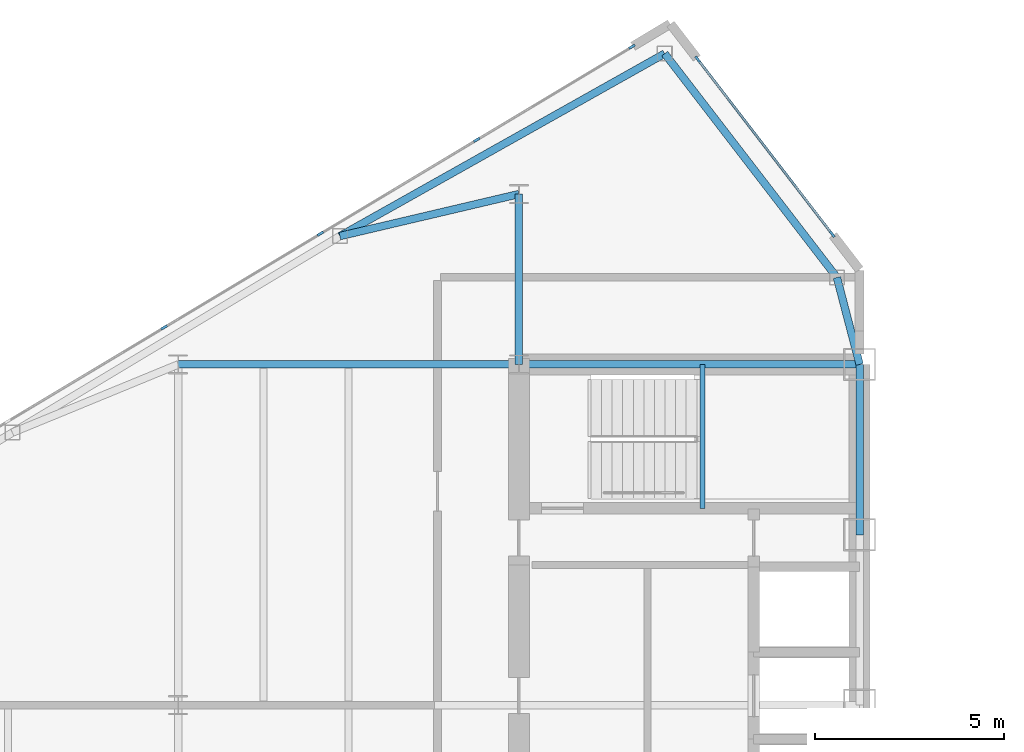
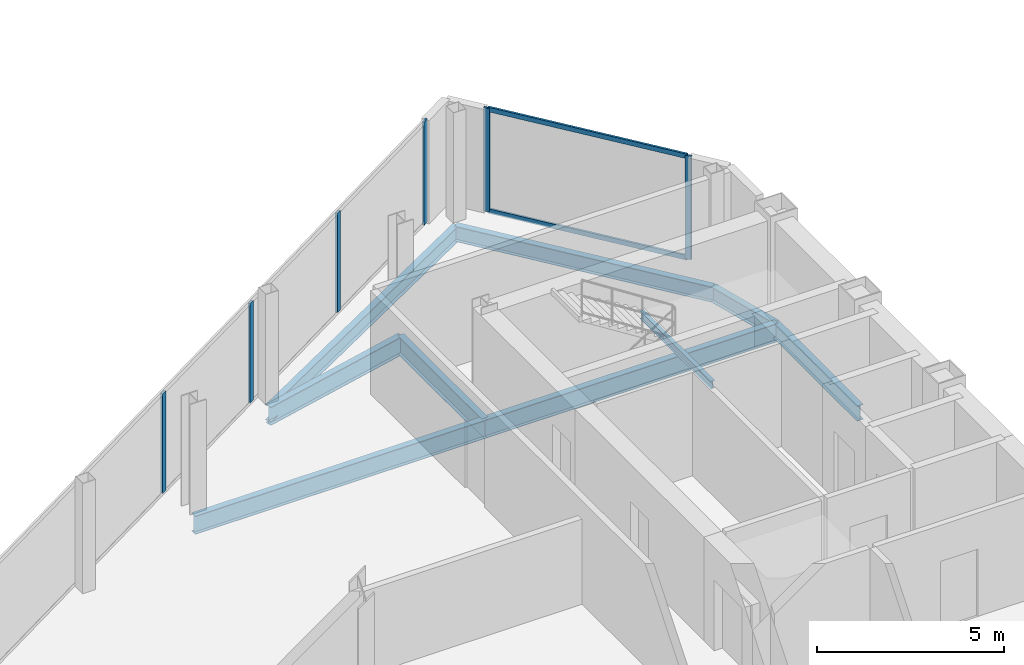
# One storey, part 10 of 25: 9 beams, 8 members, 2 elements without a shape of their own.
"""IFC4 building model written with IfcOpenShell, lengths in metres."""

import ifcopenshell
import ifcopenshell.guid

model = None  # the IFC model being written
_history = None  # IfcOwnerHistory: only IFC2X3 demands one
_inside = {}  # id of a spatial element -> (the spatial element, [elements in it])
_under = {}  # id of a project, library or spatial element -> (it, [spatial elements below it])
_declared = {}  # id of a project -> (the project, [libraries it declares])
_typed = {}  # id of a type object -> (the type object, [elements of that type])
_made_of = {}  # id of a material, layer set ... -> (it, [elements and type objects made of it])


def new_model(schema):
    """Start an empty IFC model of exactly this schema.

    Asked for "IFC4X3", IfcOpenShell would pick the latest addendum, in which some entities
    have other attributes; the version numbers below select the first issue.
    IFC2X3 requires an IfcOwnerHistory on every rooted entity: one is made here for all.
    """
    global model, _history
    if schema == "IFC4X3":
        model = ifcopenshell.file(schema_version=(4, 3, 0, 0))
    else:
        model = ifcopenshell.file(schema=schema)
    _inside.clear()
    _under.clear()
    _declared.clear()
    _typed.clear()
    _made_of.clear()
    _history = None
    if model.schema == "IFC2X3":
        org = make("IfcOrganization", Name="unknown")
        user = make(
            "IfcPersonAndOrganization",
            ThePerson=make("IfcPerson", FamilyName="unknown"),
            TheOrganization=org,
        )
        app = make(
            "IfcApplication",
            ApplicationDeveloper=org,
            Version="unknown",
            ApplicationFullName="unknown",
            ApplicationIdentifier="unknown",
        )
        _history = make(
            "IfcOwnerHistory",
            OwningUser=user,
            OwningApplication=app,
            ChangeAction="ADDED",
            CreationDate=0,
        )
    return model


def make(cls, **values):
    """One entity of the class cls with the attributes given. An attribute that is None is left unset."""
    return model.create_entity(
        cls, **{name: value for name, value in values.items() if value is not None}
    )


def rooted(cls, **values):
    """An entity with a GlobalId (a new one), such as an element, a storey or a relation."""
    return make(cls, GlobalId=ifcopenshell.guid.new(), OwnerHistory=_history, **values)


def si_unit(unit_type, name, prefix=None):
    """IfcSIUnit, for example si_unit("LENGTHUNIT", "METRE", prefix="MILLI")."""
    return make("IfcSIUnit", UnitType=unit_type, Prefix=prefix, Name=name)


def assignment(units):
    """IfcUnitAssignment: the units of a project."""
    return None if units is None else make("IfcUnitAssignment", Units=units)


def point(xyz):
    """IfcCartesianPoint."""
    return None if xyz is None else make("IfcCartesianPoint", Coordinates=xyz)


def direction(xyz):
    """IfcDirection."""
    return None if xyz is None else make("IfcDirection", DirectionRatios=xyz)


def frame(location, z_axis=None, x_axis=None):
    """IfcAxis2Placement3D, a coordinate frame: its origin and axes. An axis left out is left unset."""
    return make(
        "IfcAxis2Placement3D",
        Location=point(location),
        Axis=direction(z_axis),
        RefDirection=direction(x_axis),
    )


def frame_2d(location, x_axis=None):
    """IfcAxis2Placement2D, a coordinate frame in the plane: its origin and x axis."""
    return make(
        "IfcAxis2Placement2D", Location=point(location), RefDirection=direction(x_axis)
    )


def origin():
    """The frame at (0, 0, 0) with its axes left unset."""
    return frame((0.0, 0.0, 0.0))


def origin_2d():
    """The frame at (0, 0) in the plane with its x axis left unset."""
    return frame_2d((0.0, 0.0))


def place(relative_to, where):
    """IfcLocalPlacement: puts the frame where relative to a parent placement (None: the world)."""
    return make(
        "IfcLocalPlacement", PlacementRelTo=relative_to, RelativePlacement=where
    )


def context(
    kind, dimensions, precision=None, world=None, true_north=None, identifier=None
):
    """IfcGeometricRepresentationContext, for example the 3D "Model" context."""
    return make(
        "IfcGeometricRepresentationContext",
        ContextIdentifier=identifier,
        ContextType=kind,
        CoordinateSpaceDimension=dimensions,
        Precision=precision,
        WorldCoordinateSystem=world,
        TrueNorth=true_north,
    )


def subcontext(parent, identifier, kind, view, scale=None):
    """IfcGeometricRepresentationSubContext, for example "Body" below "Model"."""
    return make(
        "IfcGeometricRepresentationSubContext",
        ContextIdentifier=identifier,
        ContextType=kind,
        ParentContext=parent,
        TargetScale=scale,
        TargetView=view,
    )


def project(units=None, contexts=None):
    """IfcProject with its units and contexts."""
    return rooted(
        "IfcProject",
        Name="project",
        RepresentationContexts=contexts,
        UnitsInContext=assignment(units),
    )


def spatial(cls, under=None, at=None, **own):
    """A site, building, storey or space (cls), placed at a placement, below another one or the project."""
    s = rooted(cls, ObjectPlacement=at, **own)
    if under is not None:
        _under.setdefault(under.id(), (under, []))[1].append(s)
    return s


def profile(cls, at=None, kind="AREA", **sizes):
    """A parametric profile (cls). Its sizes go by their IFC names, for example OverallWidth=200.0."""
    return make(cls, ProfileType=kind, Position=at, **sizes)


def rectangle(**sizes):
    """IfcRectangleProfileDef."""
    return profile("IfcRectangleProfileDef", **sizes)


def i_section(**sizes):
    """IfcIShapeProfileDef."""
    return profile("IfcIShapeProfileDef", **sizes)


def extrude(swept, where, along, depth):
    """IfcExtrudedAreaSolid: the profile swept, set in the frame where, extruded along a direction by depth."""
    return make(
        "IfcExtrudedAreaSolid",
        SweptArea=swept,
        Position=where,
        ExtrudedDirection=direction(along),
        Depth=depth,
    )


def shape(context_of_items, identifier, shape_type, items):
    """IfcShapeRepresentation: the items that make up one representation, for example the "Body"."""
    return make(
        "IfcShapeRepresentation",
        ContextOfItems=context_of_items,
        RepresentationIdentifier=identifier,
        RepresentationType=shape_type,
        Items=items,
    )


def source(mapping_origin, context_of_items, identifier, shape_type, items):
    """IfcRepresentationMap: a shape defined once, which mapped items show again and again."""
    return make(
        "IfcRepresentationMap",
        MappingOrigin=mapping_origin,
        MappedRepresentation=shape(context_of_items, identifier, shape_type, items),
    )


def transform(
    local_origin,
    x_axis=None,
    y_axis=None,
    z_axis=None,
    scale=None,
    scale2=None,
    scale3=None,
    uniform=True,
):
    """IfcCartesianTransformationOperator3D, or its non-uniform kind. x_axis, y_axis, z_axis: its Axis1, 2, 3."""
    if uniform:
        return make(
            "IfcCartesianTransformationOperator3D",
            Axis1=direction(x_axis),
            Axis2=direction(y_axis),
            LocalOrigin=point(local_origin),
            Scale=scale,
            Axis3=direction(z_axis),
        )
    return make(
        "IfcCartesianTransformationOperator3DnonUniform",
        Axis1=direction(x_axis),
        Axis2=direction(y_axis),
        LocalOrigin=point(local_origin),
        Scale=scale,
        Axis3=direction(z_axis),
        Scale2=scale2,
        Scale3=scale3,
    )


def mapped(mapping_source, mapping_target):
    """IfcMappedItem: shows the shape of a source again, moved by a transform."""
    return make(
        "IfcMappedItem", MappingSource=mapping_source, MappingTarget=mapping_target
    )


def material(Name=None, Category=None):
    """IfcMaterial."""
    return make("IfcMaterial", Name=Name, Category=Category)


def layer(
    of_material, thickness, ventilated=None, Name=None, Category=None, Priority=None
):
    """IfcMaterialLayer: one layer of a wall or slab, of a material (None: an air gap)."""
    return make(
        "IfcMaterialLayer",
        Material=of_material,
        LayerThickness=thickness,
        IsVentilated=ventilated,
        Name=Name,
        Category=Category,
        Priority=Priority,
    )


def layer_set(layers, Name=None):
    """IfcMaterialLayerSet."""
    return make("IfcMaterialLayerSet", MaterialLayers=layers, LayerSetName=Name)


def material_profile(
    of_material, cross_section, Name=None, Category=None, Priority=None
):
    """IfcMaterialProfile: a cross section and its material."""
    return make(
        "IfcMaterialProfile",
        Name=Name,
        Material=of_material,
        Profile=cross_section,
        Priority=Priority,
        Category=Category,
    )


def profile_set(profiles, Name=None, composite=None):
    """IfcMaterialProfileSet."""
    return make(
        "IfcMaterialProfileSet",
        Name=Name,
        MaterialProfiles=profiles,
        CompositeProfile=composite,
    )


def made_of(thing, what):
    """Note that an element or type object is made of a material, layer set ...; save() writes the relation."""
    if what is not None:
        _made_of.setdefault(what.id(), (what, []))[1].append(thing)
    return thing


def type_object(cls, material=None, **own):
    """A type object (cls), such as IfcWallType, which elements share."""
    return made_of(rooted(cls, **own), material)


def type_shapes(of_type, sources):
    """Give a type object the sources (RepresentationMaps) that its elements show as mapped items."""
    of_type.RepresentationMaps = sources


def element(
    cls,
    number,
    at=None,
    inside=None,
    cuts=None,
    type_object=None,
    material=None,
    context=None,
    identifier="Body",
    shape_type=None,
    held_by="IfcProductDefinitionShape",
    body=None,
    shapes=None,
    **own,
):
    """One element of the class cls, such as IfcWall. Its Tag is "e" and its number.

    at: its placement. inside: the storey or other place that contains it. cuts: it is an
    opening in that element (IfcRelVoidsElement). A single representation is given by context,
    identifier, shape_type and body (its items); several are given by shapes. held_by: the class
    of the entity that holds the representations. save() writes the other relations.
    """
    e = rooted(cls, Tag="e%d" % number, ObjectPlacement=at, **own)
    if body is not None:
        shapes = [shape(context, identifier, shape_type, body)]
    if shapes is not None:
        e.Representation = make(held_by, Representations=shapes)
    if inside is not None:
        _inside.setdefault(inside.id(), (inside, []))[1].append(e)
    if cuts is not None:
        rooted(
            "IfcRelVoidsElement", RelatingBuildingElement=cuts, RelatedOpeningElement=e
        )
    if type_object is not None:
        _typed.setdefault(type_object.id(), (type_object, []))[1].append(e)
    return made_of(e, material)


def aggregate(whole, parts):
    """IfcRelAggregates: a whole, such as a stair, and the parts it consists of."""
    return rooted("IfcRelAggregates", RelatingObject=whole, RelatedObjects=parts)


def save(model, path):
    """Write the relations noted so far, then the file.

    IfcRelAggregates (storeys below a building ...), IfcRelContainedInSpatialStructure (elements
    in a storey), IfcRelDefinesByType, IfcRelAssociatesMaterial and IfcRelDeclares: one each for
    every whole, place, type object, material and project.
    """
    for whole, parts in _under.values():
        aggregate(whole, parts)
    for where, things in _inside.values():
        rooted(
            "IfcRelContainedInSpatialStructure",
            RelatedElements=things,
            RelatingStructure=where,
        )
    for kind, things in _typed.values():
        rooted("IfcRelDefinesByType", RelatedObjects=things, RelatingType=kind)
    for what, things in _made_of.values():
        rooted("IfcRelAssociatesMaterial", RelatedObjects=things, RelatingMaterial=what)
    for by, libraries in _declared.values():
        rooted("IfcRelDeclares", RelatingContext=by, RelatedDefinitions=libraries)
    model.write(path)


model = new_model("IFC4")

# Units and contexts
model_context = context("Model", 3, precision=1e-05, world=origin(), true_north=direction((0.0, 1.0)))
body_context = subcontext(model_context, "Body", "Model", "MODEL_VIEW")
ifc_project = project(units=[si_unit("LENGTHUNIT", "METRE"), si_unit("AREAUNIT", "SQUARE_METRE"), si_unit("VOLUMEUNIT", "CUBIC_METRE"), si_unit("PLANEANGLEUNIT", "RADIAN"), si_unit("MASSUNIT", "GRAM", prefix="KILO")], contexts=[model_context])

# Site, building, storey
site_placement = place(None, origin())
site = spatial("IfcSite", under=ifc_project, at=site_placement, CompositionType="ELEMENT")
building_placement = place(site_placement, origin())
building = spatial("IfcBuilding", under=site, at=building_placement, Name="Seokmaru Belvedere", CompositionType="ELEMENT")
storey_placement = place(building_placement, frame((0.0, 0.0, 203.10009765625)))
storey = spatial("IfcBuildingStorey", under=building, at=storey_placement, Name="L54", CompositionType="ELEMENT", Elevation=203.10009765625)

# Beams
ifc_material_1 = material(Name="Steel SM355 (355 MPa)", Category="steel")
ifc_material_profile_1 = material_profile(ifc_material_1, i_section(OverallWidth=0.199951171875, OverallDepth=0.5, WebThickness=0.010009765625, FlangeThickness=0.01611328125, at=origin_2d()), Name="H-500x200x10x16")
ifc_profile_set_1 = profile_set([ifc_material_profile_1], Name="Steel SM355 (355 MPa)")
beam_type_1 = type_object("IfcBeamType", Name="Perimeter Spandrel Beam H-500", PredefinedType="SPANDREL", material=ifc_profile_set_1)
shared_shape_1 = source(origin(), body_context, "Body", "SweptSolid", [
    extrude(i_section(OverallWidth=0.199951171875, OverallDepth=0.5, WebThickness=0.010009765625, FlangeThickness=0.01611328125, at=origin_2d()), origin(), (0.0, 0.0, 1.0), 4.5),
])
beam_1_placement = place(storey_placement, frame((-27.5, 9.0, -0.47021484375), z_axis=(0.0, 1.0, 0.0), x_axis=(-1.0, 0.0, 0.0)))
element("IfcBeam", 1, at=beam_1_placement, inside=storey, type_object=beam_type_1, Name="L54 W Portal Spine Spandrel 5", PredefinedType="SPANDREL", context=body_context, shape_type="MappedRepresentation", body=[
    mapped(shared_shape_1, transform((0.0, 0.0, 0.0), scale=1.0)),
])
ifc_material_profile_2 = material_profile(ifc_material_1, i_section(OverallWidth=0.199951171875, OverallDepth=0.60009765625, WebThickness=0.010986328125, FlangeThickness=0.01708984375, at=origin_2d()), Name="H-600x200x11x17")
ifc_profile_set_2 = profile_set([ifc_material_profile_2], Name="Steel SM355 (355 MPa)")
beam_type_2 = type_object("IfcBeamType", Name="Primary Floor Girder H-600", PredefinedType="BEAM", material=ifc_profile_set_2)
shared_shape_2 = source(origin(), body_context, "Body", "SweptSolid", [
    extrude(i_section(OverallWidth=0.199951171875, OverallDepth=0.60009765625, WebThickness=0.010986328125, FlangeThickness=0.01708984375, at=origin_2d()), origin(), (0.0, 0.0, 1.0), 9.0),
])
for number, where, z_axis, x_axis, name in (
    (2, (-36.5, 13.5, -0.52001953125), (1.0, 0.0, 0.0), (0.0, 1.0, 0.0), "L54 W Core Tie Girder 4"),
    (3, (-45.5, 13.5, -0.52001953125), (1.0, 0.0, 0.0), (0.0, 1.0, 0.0), "L54 W Wing Primary Girder 4"),
):
    element("IfcBeam", number, at=place(storey_placement, frame(where, z_axis=z_axis, x_axis=x_axis)), inside=storey, type_object=beam_type_2, Name=name, PredefinedType="BEAM", context=body_context, shape_type="MappedRepresentation", body=[
        mapped(shared_shape_2, transform((0.0, 0.0, 0.0), scale=1.0)),
    ])
shared_shape_3 = source(origin(), body_context, "Body", "SweptSolid", [
    extrude(i_section(OverallWidth=0.199951171875, OverallDepth=0.60009765625, WebThickness=0.010986328125, FlangeThickness=0.01708984375, at=origin_2d()), origin(), (0.0, 0.0, 1.0), 4.5),
])
beam_2_placement = place(storey_placement, frame((-36.5, 13.5, -0.52001953125), z_axis=(0.0, 1.0, 0.0), x_axis=(-1.0, 0.0, 0.0)))
element("IfcBeam", 4, at=beam_2_placement, inside=storey, type_object=beam_type_2, Name="L54 W Core Shoulder Girder N", PredefinedType="BEAM", context=body_context, shape_type="MappedRepresentation", body=[
    mapped(shared_shape_3, transform((0.0, 0.0, 0.0), scale=1.0)),
])
shared_shape_4 = source(origin(), body_context, "Body", "SweptSolid", [
    extrude(i_section(OverallWidth=0.199951171875, OverallDepth=0.5, WebThickness=0.010009765625, FlangeThickness=0.01611328125, at=origin_2d()), origin(), (0.0, 0.0, 1.0), 9.842041015625),
])
beam_3_placement = place(storey_placement, frame((-32.649658203125, 21.71044921875, -0.47021484375), z_axis=(-0.871782151818, -0.489893743349, 0.0), x_axis=(0.489893743349, -0.871782151818, 0.0)))
element("IfcBeam", 5, at=beam_3_placement, inside=storey, type_object=beam_type_1, Name="L54 W Faceted Flank Spandrel N-1", PredefinedType="SPANDREL", context=body_context, shape_type="MappedRepresentation", body=[
    mapped(shared_shape_4, transform((0.0, 0.0, 0.0), scale=1.0)),
])
shared_shape_5 = source(origin(), body_context, "Body", "SweptSolid", [
    extrude(i_section(OverallWidth=0.199951171875, OverallDepth=0.5, WebThickness=0.010009765625, FlangeThickness=0.01611328125, at=origin_2d()), origin(), (0.0, 0.0, 1.0), 7.4619140625),
])
beam_4_placement = place(storey_placement, frame((-32.649658203125, 21.71044921875, -0.47021484375), z_axis=(0.609702854945, -0.792630070507, 0.0), x_axis=(0.792630070507, 0.609702854945, 0.0)))
element("IfcBeam", 6, at=beam_4_placement, inside=storey, type_object=beam_type_1, Name="L54 W Shoulder Chamfer Spandrel N", PredefinedType="SPANDREL", context=body_context, shape_type="MappedRepresentation", body=[
    mapped(shared_shape_5, transform((0.0, 0.0, 0.0), scale=1.0)),
])
shared_shape_6 = source(origin(), body_context, "Body", "SweptSolid", [
    extrude(i_section(OverallWidth=0.199951171875, OverallDepth=0.5, WebThickness=0.010009765625, FlangeThickness=0.01611328125, at=origin_2d()), origin(), (0.0, 0.0, 1.0), 2.373046875),
])
type_shapes(beam_type_1, [shared_shape_1, shared_shape_4, shared_shape_5, shared_shape_6])
beam_5_placement = place(storey_placement, frame((-28.10009765625, 15.7958984375, -0.47021484375), z_axis=(0.252882558842, -0.967496982648, 0.0), x_axis=(0.967496982648, 0.252882558842, 0.0)))
element("IfcBeam", 7, at=beam_5_placement, inside=storey, type_object=beam_type_1, Name="L54 W Shoulder Spine Spandrel N", PredefinedType="SPANDREL", context=body_context, shape_type="MappedRepresentation", body=[
    mapped(shared_shape_6, transform((0.0, 0.0, 0.0), scale=1.0)),
])
shared_shape_7 = source(origin(), body_context, "Body", "SweptSolid", [
    extrude(i_section(OverallWidth=0.199951171875, OverallDepth=0.60009765625, WebThickness=0.010986328125, FlangeThickness=0.01708984375, at=origin_2d()), origin(), (0.0, 0.0, 1.0), 4.8583984375),
])
type_shapes(beam_type_2, [shared_shape_2, shared_shape_3, shared_shape_7])
beam_6_placement = place(storey_placement, frame((-41.229736328125, 16.888916015625, -0.52001953125), z_axis=(0.97349948295, 0.228689214211, 0.0), x_axis=(-0.228689214211, 0.97349948295, 0.0)))
element("IfcBeam", 8, at=beam_6_placement, inside=storey, type_object=beam_type_2, Name="L54 W Flank Radial Floor Girder N-1", PredefinedType="BEAM", context=body_context, shape_type="MappedRepresentation", body=[
    mapped(shared_shape_7, transform((0.0, 0.0, 0.0), scale=1.0)),
])

# Curtain wall, members
ifc_material_2 = material(Name="Bronze Triple Insulating Glass", Category="glass")
ifc_layer = layer(ifc_material_2, 0.179931640625)
ifc_layer_set = layer_set([ifc_layer], Name="Bronze Triple Insulating Glass")
curtain_wall_type = type_object("IfcCurtainWallType", Name="High-Rise Wind-Corner Curtain Wall System CW-5", PredefinedType="NOTDEFINED", material=ifc_layer_set)
curtain_wall_1_placement = place(storey_placement, origin())
curtain_wall_1 = element("IfcCurtainWall", 9, at=curtain_wall_1_placement, inside=storey, type_object=curtain_wall_type, Name="L54 Curtain Wall WF2", PredefinedType="NOTDEFINED")
ifc_material_3 = material(Name="Anodised Bronze Aluminium", Category="aluminium")
ifc_material_profile_3 = material_profile(ifc_material_3, rectangle(XDim=0.06494140625, YDim=0.179931640625, at=origin_2d()), Name="CW-M-65x180")
ifc_profile_set_3 = profile_set([ifc_material_profile_3], Name="Anodised Bronze Aluminium")
member_type_1 = type_object("IfcMemberType", Name="Bronze Unitised Mullion 65x180", PredefinedType="MULLION", material=ifc_profile_set_3)
shared_shape_8 = source(origin(), body_context, "Body", "SweptSolid", [
    extrude(rectangle(XDim=0.06494140625, YDim=0.179931640625, at=origin_2d()), origin(), (0.0, 0.0, 1.0), 3.3798828125),
])
member_1_placement = place(storey_placement, frame((-28.220947265625, 16.937255859375, 0.0), z_axis=(0.0, 0.0, 1.0), x_axis=(-0.792631353244, -0.609701187349, 0.0)))
member_1 = element("IfcMember", 10, at=member_1_placement, type_object=member_type_1, Name="CW:L54:WF2 Mullion 1", PredefinedType="MULLION", context=body_context, shape_type="MappedRepresentation", body=[
    mapped(shared_shape_8, transform((0.0, 0.0, 0.0), scale=1.0)),
])
member_2_placement = place(storey_placement, frame((-31.779052734375, 21.562744140625, 0.0), z_axis=(0.0, 0.0, 1.0), x_axis=(-0.792631353244, -0.609701187349, 0.0)))
member_2 = element("IfcMember", 11, at=member_2_placement, type_object=member_type_1, Name="CW:L54:WF2 Mullion 2", PredefinedType="MULLION", context=body_context, shape_type="MappedRepresentation", body=[
    mapped(shared_shape_8, transform((0.0, 0.0, 0.0), scale=1.0)),
])

curtain_wall_2_placement = place(storey_placement, origin())
curtain_wall_2 = element("IfcCurtainWall", 12, at=curtain_wall_2_placement, inside=storey, type_object=curtain_wall_type, Name="L54 Curtain Wall WF3", PredefinedType="NOTDEFINED")
member_3_placement = place(storey_placement, frame((-33.513916015625, 21.8916015625, 0.0), z_axis=(0.0, 0.0, 1.0), x_axis=(0.514494909364, -0.85749343335, 0.0)))
member_3 = element("IfcMember", 13, at=member_3_placement, type_object=member_type_1, Name="CW:L54:WF3 Mullion 1", PredefinedType="MULLION", context=body_context, shape_type="MappedRepresentation", body=[
    mapped(shared_shape_8, transform((0.0, 0.0, 0.0), scale=1.0)),
])
shared_shape_9 = source(origin(), body_context, "Body", "SweptSolid", [
    extrude(rectangle(XDim=0.06494140625, YDim=0.179931640625, at=origin_2d()), origin(), (0.0, 0.0, 1.0), 3.25),
])
type_shapes(member_type_1, [shared_shape_8, shared_shape_9])
member_4_placement = place(storey_placement, frame((-37.614501953125, 19.43115234375, 0.06494140625), z_axis=(0.0, 0.0, 1.0), x_axis=(0.514494909364, -0.85749343335, 0.0)))
member_4 = element("IfcMember", 14, at=member_4_placement, type_object=member_type_1, Name="CW:L54:WF3 Mullion 2", PredefinedType="MULLION", context=body_context, shape_type="MappedRepresentation", body=[
    mapped(shared_shape_9, transform((0.0, 0.0, 0.0), scale=1.0)),
])
member_5_placement = place(storey_placement, frame((-41.7431640625, 16.9541015625, 0.06494140625), z_axis=(0.0, 0.0, 1.0), x_axis=(0.514494909364, -0.85749343335, 0.0)))
member_5 = element("IfcMember", 15, at=member_5_placement, type_object=member_type_1, Name="CW:L54:WF3 Mullion 3", PredefinedType="MULLION", context=body_context, shape_type="MappedRepresentation", body=[
    mapped(shared_shape_9, transform((0.0, 0.0, 0.0), scale=1.0)),
])
member_6_placement = place(storey_placement, frame((-45.87158203125, 14.47705078125, 0.06494140625), z_axis=(0.0, 0.0, 1.0), x_axis=(0.514494909364, -0.85749343335, 0.0)))
member_6 = element("IfcMember", 16, at=member_6_placement, type_object=member_type_1, Name="CW:L54:WF3 Mullion 4", PredefinedType="MULLION", context=body_context, shape_type="MappedRepresentation", body=[
    mapped(shared_shape_9, transform((0.0, 0.0, 0.0), scale=1.0)),
])
aggregate(curtain_wall_2, [member_3, member_4, member_5, member_6])

# Member
ifc_material_profile_4 = material_profile(ifc_material_3, rectangle(XDim=0.06494140625, YDim=0.14990234375, at=origin_2d()), Name="CW-T-65x150")
ifc_profile_set_4 = profile_set([ifc_material_profile_4], Name="Anodised Bronze Aluminium")
member_type_2 = type_object("IfcMemberType", Name="Bronze Unitised Transom 65x150", PredefinedType="USERDEFINED", material=ifc_profile_set_4)
shared_shape_10 = source(origin(), body_context, "Body", "SweptSolid", [
    extrude(rectangle(XDim=0.06494140625, YDim=0.14990234375, at=origin_2d()), origin(), (0.0, 0.0, 1.0), 5.77099609375),
])
type_shapes(member_type_2, [shared_shape_10])
member_7_placement = place(storey_placement, frame((-28.24072265625, 16.962890625, 0.032470703125), z_axis=(-0.60970258286, 0.792630279799, 0.0), x_axis=(-0.792630279799, -0.60970258286, 0.0)))
member_7 = element("IfcMember", 17, at=member_7_placement, type_object=member_type_2, Name="CW:L54:WF2 Continuous Transom 1", ObjectType="TRANSOM", PredefinedType="USERDEFINED", context=body_context, shape_type="MappedRepresentation", body=[
    mapped(shared_shape_10, transform((0.0, 0.0, 0.0), scale=1.0)),
])

member_8_placement = place(storey_placement, frame((-28.24072265625, 16.962890625, 3.347412109375), z_axis=(-0.60970258286, 0.792630279799, 0.0), x_axis=(-0.792630279799, -0.60970258286, 0.0)))
member_8 = element("IfcMember", 18, at=member_8_placement, type_object=member_type_2, Name="CW:L54:WF2 Continuous Transom 2", ObjectType="TRANSOM", PredefinedType="USERDEFINED", context=body_context, shape_type="MappedRepresentation", body=[
    mapped(shared_shape_10, transform((0.0, 0.0, 0.0), scale=1.0)),
])

aggregate(curtain_wall_1, [member_1, member_2, member_7, member_8])

# Beam
ifc_material_profile_5 = material_profile(ifc_material_1, i_section(OverallWidth=0.125, OverallDepth=0.25, WebThickness=0.006103515625, FlangeThickness=0.009033203125, at=origin_2d()), Name="H-250x125x6x9")
ifc_profile_set_5 = profile_set([ifc_material_profile_5], Name="Steel SM355 (355 MPa)")
beam_type_3 = type_object("IfcBeamType", Name="Stair Mid-Landing Support Beam H-250", PredefinedType="JOIST", material=ifc_profile_set_5)
shared_shape_11 = source(origin(), body_context, "Body", "SweptSolid", [
    extrude(i_section(OverallWidth=0.125, OverallDepth=0.25, WebThickness=0.006103515625, FlangeThickness=0.009033203125, at=origin_2d()), origin(), (0.0, 0.0, 1.0), 3.800048828125),
])
type_shapes(beam_type_3, [shared_shape_11])
beam_7_placement = place(storey_placement, frame((-31.64990234375, 9.699951171875, 1.474853515625), z_axis=(0.0, 1.0, 0.0), x_axis=(-1.0, 0.0, 0.0)))
element("IfcBeam", 19, at=beam_7_placement, inside=storey, type_object=beam_type_3, Name="L54 Stair ST-W2 Mid-Landing Support Beam 1", PredefinedType="JOIST", context=body_context, shape_type="MappedRepresentation", body=[
    mapped(shared_shape_11, transform((0.0, 0.0, 0.0), scale=1.0)),
])

save(model, "model.ifc")
